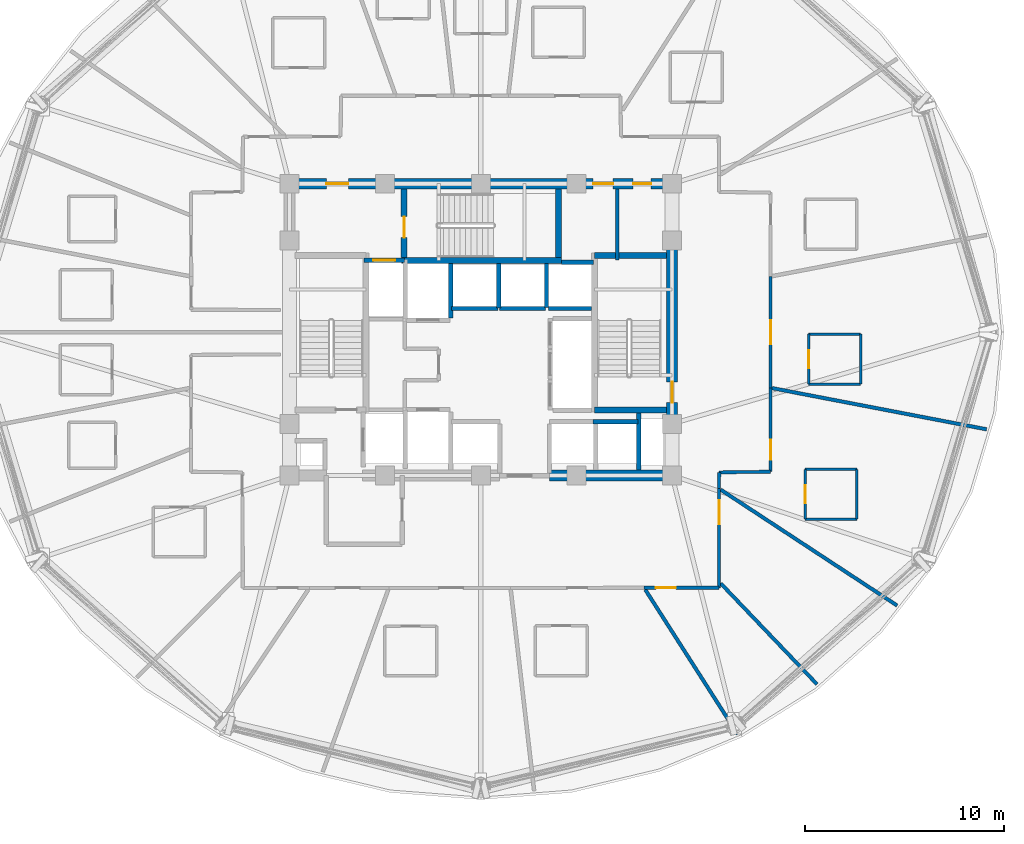
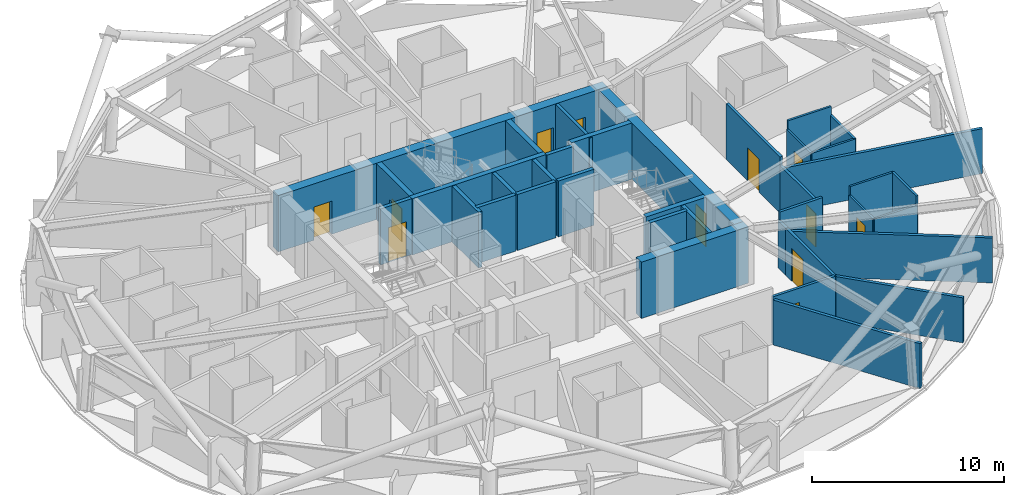
# One storey, part 8 of 14: 37 walls, 12 doors, 12 openings.
"""IFC4 building model written with IfcOpenShell, lengths in metres."""

import ifcopenshell
import ifcopenshell.guid

model = None  # the IFC model being written
_history = None  # IfcOwnerHistory: only IFC2X3 demands one
_inside = {}  # id of a spatial element -> (the spatial element, [elements in it])
_under = {}  # id of a project, library or spatial element -> (it, [spatial elements below it])
_declared = {}  # id of a project -> (the project, [libraries it declares])
_typed = {}  # id of a type object -> (the type object, [elements of that type])
_made_of = {}  # id of a material, layer set ... -> (it, [elements and type objects made of it])


def new_model(schema):
    """Start an empty IFC model of exactly this schema.

    Asked for "IFC4X3", IfcOpenShell would pick the latest addendum, in which some entities
    have other attributes; the version numbers below select the first issue.
    IFC2X3 requires an IfcOwnerHistory on every rooted entity: one is made here for all.
    """
    global model, _history
    if schema == "IFC4X3":
        model = ifcopenshell.file(schema_version=(4, 3, 0, 0))
    else:
        model = ifcopenshell.file(schema=schema)
    _inside.clear()
    _under.clear()
    _declared.clear()
    _typed.clear()
    _made_of.clear()
    _history = None
    if model.schema == "IFC2X3":
        org = make("IfcOrganization", Name="unknown")
        user = make(
            "IfcPersonAndOrganization",
            ThePerson=make("IfcPerson", FamilyName="unknown"),
            TheOrganization=org,
        )
        app = make(
            "IfcApplication",
            ApplicationDeveloper=org,
            Version="unknown",
            ApplicationFullName="unknown",
            ApplicationIdentifier="unknown",
        )
        _history = make(
            "IfcOwnerHistory",
            OwningUser=user,
            OwningApplication=app,
            ChangeAction="ADDED",
            CreationDate=0,
        )
    return model


def make(cls, **values):
    """One entity of the class cls with the attributes given. An attribute that is None is left unset."""
    return model.create_entity(
        cls, **{name: value for name, value in values.items() if value is not None}
    )


def rooted(cls, **values):
    """An entity with a GlobalId (a new one), such as an element, a storey or a relation."""
    return make(cls, GlobalId=ifcopenshell.guid.new(), OwnerHistory=_history, **values)


def si_unit(unit_type, name, prefix=None):
    """IfcSIUnit, for example si_unit("LENGTHUNIT", "METRE", prefix="MILLI")."""
    return make("IfcSIUnit", UnitType=unit_type, Prefix=prefix, Name=name)


def assignment(units):
    """IfcUnitAssignment: the units of a project."""
    return None if units is None else make("IfcUnitAssignment", Units=units)


def point(xyz):
    """IfcCartesianPoint."""
    return None if xyz is None else make("IfcCartesianPoint", Coordinates=xyz)


def direction(xyz):
    """IfcDirection."""
    return None if xyz is None else make("IfcDirection", DirectionRatios=xyz)


def frame(location, z_axis=None, x_axis=None):
    """IfcAxis2Placement3D, a coordinate frame: its origin and axes. An axis left out is left unset."""
    return make(
        "IfcAxis2Placement3D",
        Location=point(location),
        Axis=direction(z_axis),
        RefDirection=direction(x_axis),
    )


def frame_2d(location, x_axis=None):
    """IfcAxis2Placement2D, a coordinate frame in the plane: its origin and x axis."""
    return make(
        "IfcAxis2Placement2D", Location=point(location), RefDirection=direction(x_axis)
    )


def origin():
    """The frame at (0, 0, 0) with its axes left unset."""
    return frame((0.0, 0.0, 0.0))


def place(relative_to, where):
    """IfcLocalPlacement: puts the frame where relative to a parent placement (None: the world)."""
    return make(
        "IfcLocalPlacement", PlacementRelTo=relative_to, RelativePlacement=where
    )


def context(
    kind, dimensions, precision=None, world=None, true_north=None, identifier=None
):
    """IfcGeometricRepresentationContext, for example the 3D "Model" context."""
    return make(
        "IfcGeometricRepresentationContext",
        ContextIdentifier=identifier,
        ContextType=kind,
        CoordinateSpaceDimension=dimensions,
        Precision=precision,
        WorldCoordinateSystem=world,
        TrueNorth=true_north,
    )


def subcontext(parent, identifier, kind, view, scale=None):
    """IfcGeometricRepresentationSubContext, for example "Body" below "Model"."""
    return make(
        "IfcGeometricRepresentationSubContext",
        ContextIdentifier=identifier,
        ContextType=kind,
        ParentContext=parent,
        TargetScale=scale,
        TargetView=view,
    )


def project(units=None, contexts=None):
    """IfcProject with its units and contexts."""
    return rooted(
        "IfcProject",
        Name="project",
        RepresentationContexts=contexts,
        UnitsInContext=assignment(units),
    )


def spatial(cls, under=None, at=None, **own):
    """A site, building, storey or space (cls), placed at a placement, below another one or the project."""
    s = rooted(cls, ObjectPlacement=at, **own)
    if under is not None:
        _under.setdefault(under.id(), (under, []))[1].append(s)
    return s


def profile(cls, at=None, kind="AREA", **sizes):
    """A parametric profile (cls). Its sizes go by their IFC names, for example OverallWidth=200.0."""
    return make(cls, ProfileType=kind, Position=at, **sizes)


def rectangle(**sizes):
    """IfcRectangleProfileDef."""
    return profile("IfcRectangleProfileDef", **sizes)


def extrude(swept, where, along, depth):
    """IfcExtrudedAreaSolid: the profile swept, set in the frame where, extruded along a direction by depth."""
    return make(
        "IfcExtrudedAreaSolid",
        SweptArea=swept,
        Position=where,
        ExtrudedDirection=direction(along),
        Depth=depth,
    )


def shape(context_of_items, identifier, shape_type, items):
    """IfcShapeRepresentation: the items that make up one representation, for example the "Body"."""
    return make(
        "IfcShapeRepresentation",
        ContextOfItems=context_of_items,
        RepresentationIdentifier=identifier,
        RepresentationType=shape_type,
        Items=items,
    )


def material(Name=None, Category=None):
    """IfcMaterial."""
    return make("IfcMaterial", Name=Name, Category=Category)


def layer(
    of_material, thickness, ventilated=None, Name=None, Category=None, Priority=None
):
    """IfcMaterialLayer: one layer of a wall or slab, of a material (None: an air gap)."""
    return make(
        "IfcMaterialLayer",
        Material=of_material,
        LayerThickness=thickness,
        IsVentilated=ventilated,
        Name=Name,
        Category=Category,
        Priority=Priority,
    )


def layer_set(layers, Name=None):
    """IfcMaterialLayerSet."""
    return make("IfcMaterialLayerSet", MaterialLayers=layers, LayerSetName=Name)


def made_of(thing, what):
    """Note that an element or type object is made of a material, layer set ...; save() writes the relation."""
    if what is not None:
        _made_of.setdefault(what.id(), (what, []))[1].append(thing)
    return thing


def type_object(cls, material=None, **own):
    """A type object (cls), such as IfcWallType, which elements share."""
    return made_of(rooted(cls, **own), material)


def element(
    cls,
    number,
    at=None,
    inside=None,
    cuts=None,
    type_object=None,
    material=None,
    context=None,
    identifier="Body",
    shape_type=None,
    held_by="IfcProductDefinitionShape",
    body=None,
    shapes=None,
    **own,
):
    """One element of the class cls, such as IfcWall. Its Tag is "e" and its number.

    at: its placement. inside: the storey or other place that contains it. cuts: it is an
    opening in that element (IfcRelVoidsElement). A single representation is given by context,
    identifier, shape_type and body (its items); several are given by shapes. held_by: the class
    of the entity that holds the representations. save() writes the other relations.
    """
    e = rooted(cls, Tag="e%d" % number, ObjectPlacement=at, **own)
    if body is not None:
        shapes = [shape(context, identifier, shape_type, body)]
    if shapes is not None:
        e.Representation = make(held_by, Representations=shapes)
    if inside is not None:
        _inside.setdefault(inside.id(), (inside, []))[1].append(e)
    if cuts is not None:
        rooted(
            "IfcRelVoidsElement", RelatingBuildingElement=cuts, RelatedOpeningElement=e
        )
    if type_object is not None:
        _typed.setdefault(type_object.id(), (type_object, []))[1].append(e)
    return made_of(e, material)


def fill(opening, filler):
    """IfcRelFillsElement: the door or window that sits in an opening."""
    return rooted(
        "IfcRelFillsElement",
        RelatingOpeningElement=opening,
        RelatedBuildingElement=filler,
    )


def aggregate(whole, parts):
    """IfcRelAggregates: a whole, such as a stair, and the parts it consists of."""
    return rooted("IfcRelAggregates", RelatingObject=whole, RelatedObjects=parts)


def save(model, path):
    """Write the relations noted so far, then the file.

    IfcRelAggregates (storeys below a building ...), IfcRelContainedInSpatialStructure (elements
    in a storey), IfcRelDefinesByType, IfcRelAssociatesMaterial and IfcRelDeclares: one each for
    every whole, place, type object, material and project.
    """
    for whole, parts in _under.values():
        aggregate(whole, parts)
    for where, things in _inside.values():
        rooted(
            "IfcRelContainedInSpatialStructure",
            RelatedElements=things,
            RelatingStructure=where,
        )
    for kind, things in _typed.values():
        rooted("IfcRelDefinesByType", RelatedObjects=things, RelatingType=kind)
    for what, things in _made_of.values():
        rooted("IfcRelAssociatesMaterial", RelatedObjects=things, RelatingMaterial=what)
    for by, libraries in _declared.values():
        rooted("IfcRelDeclares", RelatingContext=by, RelatedDefinitions=libraries)
    model.write(path)


model = new_model("IFC4")

# Units and contexts
model_context = context("Model", 3, precision=1e-05, world=origin(), true_north=direction((0.0, 1.0)))
body_context = subcontext(model_context, "Body", "Model", "MODEL_VIEW")
ifc_project = project(units=[si_unit("LENGTHUNIT", "METRE"), si_unit("AREAUNIT", "SQUARE_METRE"), si_unit("VOLUMEUNIT", "CUBIC_METRE"), si_unit("PLANEANGLEUNIT", "RADIAN"), si_unit("MASSUNIT", "GRAM", prefix="KILO")], contexts=[model_context])

# Site, building, storey
site_placement = place(None, origin())
site = spatial("IfcSite", under=ifc_project, at=site_placement, CompositionType="ELEMENT")
building_placement = place(site_placement, origin())
building = spatial("IfcBuilding", under=site, at=building_placement, Name="Vantalir Tower", CompositionType="ELEMENT")
storey_placement = place(building_placement, frame((0.0, 0.0, 112.199951171875)))
storey = spatial("IfcBuildingStorey", under=building, at=storey_placement, Name="L27", CompositionType="ELEMENT", Elevation=112.199951171875)

# Walls
ifc_material_1 = material(Name="Moisture-resistant en-suite partition", Category="gypsum")
ifc_layer_1 = layer(ifc_material_1, 0.125)
ifc_layer_set_1 = layer_set([ifc_layer_1], Name="Moisture-resistant en-suite partition")
wall_type_1 = type_object("IfcWallType", Name="WL-BATH-125", PredefinedType="PARTITIONING", material=ifc_layer_set_1)
wall_1_placement = place(storey_placement, frame((47.781982421875, 15.613037109375, 0.0), z_axis=(0.0, 0.0, 1.0), x_axis=(1.0, 0.0, 0.0)))
element("IfcWall", 1, at=wall_1_placement, inside=storey, type_object=wall_type_1, Name="L27 En-suite 20 South Wall", PredefinedType="PARTITIONING", context=body_context, shape_type="SweptSolid", body=[
    extrude(rectangle(XDim=2.60009765625, YDim=0.125, at=frame_2d((1.300048828125, 0.0))), origin(), (0.0, 0.0, 1.0), 3.006103515625),
])
wall_2_placement = place(storey_placement, frame((47.781982421875, 18.113037109375, 0.0), z_axis=(0.0, 0.0, 1.0), x_axis=(1.0, 0.0, 0.0)))
element("IfcWall", 2, at=wall_2_placement, inside=storey, type_object=wall_type_1, Name="L27 En-suite 20 North Wall", PredefinedType="PARTITIONING", context=body_context, shape_type="SweptSolid", body=[
    extrude(rectangle(XDim=2.60009765625, YDim=0.125, at=frame_2d((1.300048828125, 0.0))), origin(), (0.0, 0.0, 1.0), 3.550048828125),
])

# Wall, opening, door
wall_3_placement = place(storey_placement, frame((47.781982421875, 15.613037109375, 0.0), z_axis=(0.0, 0.0, 1.0), x_axis=(0.0, 1.0, 0.0)))
wall_3 = element("IfcWall", 3, at=wall_3_placement, inside=storey, type_object=wall_type_1, Name="L27 En-suite 20 West Wall", PredefinedType="PARTITIONING", context=body_context, shape_type="SweptSolid", body=[
    extrude(rectangle(XDim=2.5, YDim=0.125, at=frame_2d((1.25, 0.0))), origin(), (0.0, 0.0, 1.0), 3.006103515625),
])
opening_1_placement = place(wall_3_placement, frame((0.800048828125, 0.0, 0.0)))
opening_1 = element("IfcOpeningElement", 4, at=opening_1_placement, cuts=wall_3, Name="Opening D-WC", PredefinedType="OPENING", context=body_context, shape_type="SweptSolid", body=[
    extrude(rectangle(XDim=0.89990234375, YDim=2.10009765625, at=frame_2d((0.449951171875, 1.050048828125))), frame((0.0, 0.072509765625, 0.0), z_axis=(0.0, -1.0, 0.0), x_axis=(1.0, 0.0, 0.0)), (0.0, 0.0, 1.0), 0.14501953125),
])
ifc_material_2 = material(Name="Moisture-resistant hardwood door", Category="wood")
door_type_1 = type_object("IfcDoorType", Name="DR-ENSUITE-900", OperationType="NOTDEFINED", PredefinedType="DOOR", material=ifc_material_2)
door_1_placement = place(opening_1_placement, frame((0.89990234375, 0.0, 0.0), z_axis=(0.0, 0.0, 1.0), x_axis=(-1.0, 0.0, 0.0)))
door_1 = element("IfcDoor", 5, at=door_1_placement, inside=storey, type_object=door_type_1, Name="L27 En-suite 20 Door", OperationType="SINGLE_SWING_RIGHT", OverallHeight=2.10009765625, OverallWidth=0.89990234375, PredefinedType="DOOR", context=body_context, shape_type="SweptSolid", body=[
    extrude(rectangle(XDim=0.89990234375, YDim=2.10009765625, at=frame_2d((0.449951171875, 1.050048828125))), frame((0.0, 0.02490234375, 0.0), z_axis=(0.0, -1.0, 0.0), x_axis=(1.0, 0.0, 0.0)), (0.0, 0.0, 1.0), 0.050048828125),
])
fill(opening_1, door_1)

# Walls
wall_4_placement = place(storey_placement, frame((50.382080078125, 15.613037109375, 0.0), z_axis=(0.0, 0.0, 1.0), x_axis=(0.0, 1.0, 0.0)))
element("IfcWall", 6, at=wall_4_placement, inside=storey, type_object=wall_type_1, Name="L27 En-suite 20 East Wall", PredefinedType="PARTITIONING", context=body_context, shape_type="SweptSolid", body=[
    extrude(rectangle(XDim=2.5, YDim=0.125, at=frame_2d((1.25, 0.0))), origin(), (0.0, 0.0, 1.0), 3.550048828125),
])
wall_5_placement = place(storey_placement, frame((47.9599609375, 22.39599609375, 0.0), z_axis=(0.0, 0.0, 1.0), x_axis=(1.0, 0.0, 0.0)))
element("IfcWall", 7, at=wall_5_placement, inside=storey, type_object=wall_type_1, Name="L27 En-suite 21 South Wall", PredefinedType="PARTITIONING", context=body_context, shape_type="SweptSolid", body=[
    extrude(rectangle(XDim=2.60009765625, YDim=0.125, at=frame_2d((1.300048828125, 0.0))), origin(), (0.0, 0.0, 1.0), 3.006103515625),
])
wall_6_placement = place(storey_placement, frame((47.9599609375, 24.89599609375, 0.0), z_axis=(0.0, 0.0, 1.0), x_axis=(1.0, 0.0, 0.0)))
element("IfcWall", 8, at=wall_6_placement, inside=storey, type_object=wall_type_1, Name="L27 En-suite 21 North Wall", PredefinedType="PARTITIONING", context=body_context, shape_type="SweptSolid", body=[
    extrude(rectangle(XDim=2.60009765625, YDim=0.125, at=frame_2d((1.300048828125, 0.0))), origin(), (0.0, 0.0, 1.0), 3.550048828125),
])

# Wall, opening, door
wall_7_placement = place(storey_placement, frame((47.9599609375, 22.39599609375, 0.0), z_axis=(0.0, 0.0, 1.0), x_axis=(0.0, 1.0, 0.0)))
wall_7 = element("IfcWall", 9, at=wall_7_placement, inside=storey, type_object=wall_type_1, Name="L27 En-suite 21 West Wall", PredefinedType="PARTITIONING", context=body_context, shape_type="SweptSolid", body=[
    extrude(rectangle(XDim=2.5, YDim=0.125, at=frame_2d((1.25, 0.0))), origin(), (0.0, 0.0, 1.0), 3.006103515625),
])
opening_2_placement = place(wall_7_placement, frame((0.800048828125, 0.0, 0.0)))
opening_2 = element("IfcOpeningElement", 10, at=opening_2_placement, cuts=wall_7, Name="Opening D-WC", PredefinedType="OPENING", context=body_context, shape_type="SweptSolid", body=[
    extrude(rectangle(XDim=0.89990234375, YDim=2.10009765625, at=frame_2d((0.449951171875, 1.050048828125))), frame((0.0, 0.072509765625, 0.0), z_axis=(0.0, -1.0, 0.0), x_axis=(1.0, 0.0, 0.0)), (0.0, 0.0, 1.0), 0.14501953125),
])
door_2_placement = place(opening_2_placement, frame((0.89990234375, 0.0, 0.0), z_axis=(0.0, 0.0, 1.0), x_axis=(-1.0, 0.0, 0.0)))
door_2 = element("IfcDoor", 11, at=door_2_placement, inside=storey, type_object=door_type_1, Name="L27 En-suite 21 Door", OperationType="SINGLE_SWING_LEFT", OverallHeight=2.10009765625, OverallWidth=0.89990234375, PredefinedType="DOOR", context=body_context, shape_type="SweptSolid", body=[
    extrude(rectangle(XDim=0.89990234375, YDim=2.10009765625, at=frame_2d((0.449951171875, 1.050048828125))), frame((0.0, 0.02490234375, 0.0), z_axis=(0.0, -1.0, 0.0), x_axis=(1.0, 0.0, 0.0)), (0.0, 0.0, 1.0), 0.050048828125),
])
fill(opening_2, door_2)

# Walls
wall_8_placement = place(storey_placement, frame((50.56005859375, 22.39599609375, 0.0), z_axis=(0.0, 0.0, 1.0), x_axis=(0.0, 1.0, 0.0)))
element("IfcWall", 12, at=wall_8_placement, inside=storey, type_object=wall_type_1, Name="L27 En-suite 21 East Wall", PredefinedType="PARTITIONING", context=body_context, shape_type="SweptSolid", body=[
    extrude(rectangle(XDim=2.5, YDim=0.125, at=frame_2d((1.25, 0.0))), origin(), (0.0, 0.0, 1.0), 3.006103515625),
])
ifc_material_3 = material(Name="Concrete C60/75", Category="concrete")
ifc_layer_2 = layer(ifc_material_3, 0.550048828125)
ifc_layer_set_2 = layer_set([ifc_layer_2], Name="Concrete C60/75")
wall_type_2 = type_object("IfcWallType", Name="WL-CORE-550", PredefinedType="SHEAR", material=ifc_layer_set_2)
wall_9_placement = place(storey_placement, frame((34.949951171875, 17.800048828125, 0.0), z_axis=(0.0, 0.0, 1.0), x_axis=(1.0, 0.0, 0.0)))
element("IfcWall", 13, at=wall_9_placement, inside=storey, type_object=wall_type_2, Name="L27 Core Shear Wall South-East", PredefinedType="SHEAR", context=body_context, shape_type="SweptSolid", body=[
    extrude(rectangle(XDim=6.425048828125, YDim=0.550048828125, at=frame_2d((3.21240234375, 0.0))), origin(), (0.0, 0.0, 1.0), 3.570068359375),
])

# Wall, openings, doors
wall_10_placement = place(storey_placement, frame((21.625, 32.449951171875, 0.0), z_axis=(0.0, 0.0, 1.0), x_axis=(1.0, 0.0, 0.0)))
wall_10 = element("IfcWall", 14, at=wall_10_placement, inside=storey, type_object=wall_type_2, Name="L27 Core Shear Wall North", PredefinedType="SHEAR", context=body_context, shape_type="SweptSolid", body=[
    extrude(rectangle(XDim=19.75, YDim=0.550048828125, at=frame_2d((9.875, 0.0))), origin(), (0.0, 0.0, 1.0), 3.570068359375),
])
opening_3_placement = place(wall_10_placement, frame((2.125, 0.0, 0.0)))
opening_3 = element("IfcOpeningElement", 15, at=opening_3_placement, cuts=wall_10, Name="Opening D-FFL", PredefinedType="OPENING", context=body_context, shape_type="SweptSolid", body=[
    extrude(rectangle(XDim=1.10009765625, YDim=2.10009765625, at=frame_2d((0.550048828125, 1.050048828125))), frame((0.0, 0.284912109375, 0.0), z_axis=(0.0, -1.0, 0.0), x_axis=(1.0, 0.0, 0.0)), (0.0, 0.0, 1.0), 0.570068359375),
])
opening_4_placement = place(wall_10_placement, frame((15.514892578125, 0.0, 0.0)))
opening_4 = element("IfcOpeningElement", 16, at=opening_4_placement, cuts=wall_10, Name="Opening D-GUEST", PredefinedType="OPENING", context=body_context, shape_type="SweptSolid", body=[
    extrude(rectangle(XDim=1.0, YDim=2.10009765625, at=frame_2d((0.5, 1.050048828125))), frame((0.0, 0.284912109375, 0.0), z_axis=(0.0, -1.0, 0.0), x_axis=(1.0, 0.0, 0.0)), (0.0, 0.0, 1.0), 0.570068359375),
])
opening_5_placement = place(wall_10_placement, frame((17.52490234375, 0.0, 0.0)))
opening_5 = element("IfcOpeningElement", 17, at=opening_5_placement, cuts=wall_10, Name="Opening D-CR", PredefinedType="OPENING", context=body_context, shape_type="SweptSolid", body=[
    extrude(rectangle(XDim=0.89990234375, YDim=2.10009765625, at=frame_2d((0.449951171875, 1.050048828125))), frame((0.0, 0.284912109375, 0.0), z_axis=(0.0, -1.0, 0.0), x_axis=(1.0, 0.0, 0.0)), (0.0, 0.0, 1.0), 0.570068359375),
])
ifc_material_4 = material(Name="Fire-rated steel core service door", Category="steel")
door_type_2 = type_object("IfcDoorType", Name="DR-CORE-SERV-900", OperationType="NOTDEFINED", PredefinedType="DOOR", material=ifc_material_4)
door_3_placement = place(opening_5_placement, frame((0.89990234375, 0.0, 0.0), z_axis=(0.0, 0.0, 1.0), x_axis=(-1.0, 0.0, 0.0)))
door_3 = element("IfcDoor", 18, at=door_3_placement, inside=storey, type_object=door_type_2, Name="L27 Housekeeping and Linen Room Door", OperationType="SINGLE_SWING_RIGHT", OverallHeight=2.10009765625, OverallWidth=0.89990234375, PredefinedType="DOOR", context=body_context, shape_type="SweptSolid", body=[
    extrude(rectangle(XDim=0.89990234375, YDim=2.10009765625, at=frame_2d((0.449951171875, 1.050048828125))), frame((0.0, 0.02490234375, 0.0), z_axis=(0.0, -1.0, 0.0), x_axis=(1.0, 0.0, 0.0)), (0.0, 0.0, 1.0), 0.050048828125),
])
fill(opening_5, door_3)
ifc_material_5 = material(Name="Fire-rated acoustic steel door", Category="steel")
door_type_3 = type_object("IfcDoorType", Name="DR-FIRE-LOBBY-1100", OperationType="NOTDEFINED", PredefinedType="DOOR", material=ifc_material_5)
door_4_placement = place(opening_3_placement, frame((1.10009765625, 0.0, 0.0), z_axis=(0.0, 0.0, 1.0), x_axis=(-1.0, 0.0, 0.0)))
door_4 = element("IfcDoor", 19, at=door_4_placement, inside=storey, type_object=door_type_3, Name="L27 Firefighting Lobby East Access Door", OperationType="SINGLE_SWING_LEFT", OverallHeight=2.10009765625, OverallWidth=1.10009765625, PredefinedType="DOOR", context=body_context, shape_type="SweptSolid", body=[
    extrude(rectangle(XDim=1.10009765625, YDim=2.10009765625, at=frame_2d((0.550048828125, 1.050048828125))), frame((0.0, 0.02490234375, 0.0), z_axis=(0.0, -1.0, 0.0), x_axis=(1.0, 0.0, 0.0)), (0.0, 0.0, 1.0), 0.050048828125),
])
fill(opening_3, door_4)
ifc_material_6 = material(Name="Solid-core teak veneer acoustic fire door", Category="wood")
door_type_4 = type_object("IfcDoorType", Name="DR-GUEST-ENTRY-1000", OperationType="NOTDEFINED", PredefinedType="DOOR", material=ifc_material_6)
door_5_placement = place(opening_4_placement, frame((1.0, 0.0, 0.0), z_axis=(0.0, 0.0, 1.0), x_axis=(-1.0, 0.0, 0.0)))
door_5 = element("IfcDoor", 20, at=door_5_placement, inside=storey, type_object=door_type_4, Name="L27 High-Rise Lift Lobby Door", OperationType="SINGLE_SWING_LEFT", OverallHeight=2.10009765625, OverallWidth=1.0, PredefinedType="DOOR", context=body_context, shape_type="SweptSolid", body=[
    extrude(rectangle(XDim=1.0, YDim=2.10009765625, at=frame_2d((0.5, 1.050048828125))), frame((0.0, 0.02490234375, 0.0), z_axis=(0.0, -1.0, 0.0), x_axis=(1.0, 0.0, 0.0)), (0.0, 0.0, 1.0), 0.050048828125),
])
fill(opening_4, door_5)

# Wall, opening, door
wall_11_placement = place(storey_placement, frame((41.10009765625, 18.074951171875, 0.0), z_axis=(0.0, 0.0, 1.0), x_axis=(0.0, 1.0, 0.0)))
wall_11 = element("IfcWall", 21, at=wall_11_placement, inside=storey, type_object=wall_type_2, Name="L27 Core Shear Wall East", PredefinedType="SHEAR", context=body_context, shape_type="SweptSolid", body=[
    extrude(rectangle(XDim=14.10009765625, YDim=0.550048828125, at=frame_2d((7.050048828125, 0.0))), origin(), (0.0, 0.0, 1.0), 3.570068359375),
])
opening_6_placement = place(wall_11_placement, frame((3.385009765625, 0.0, 0.0)))
opening_6 = element("IfcOpeningElement", 22, at=opening_6_placement, cuts=wall_11, Name="Opening D-ST", PredefinedType="OPENING", context=body_context, shape_type="SweptSolid", body=[
    extrude(rectangle(XDim=1.050048828125, YDim=2.10009765625, at=frame_2d((0.52490234375, 1.050048828125))), frame((0.0, 0.284912109375, 0.0), z_axis=(0.0, -1.0, 0.0), x_axis=(1.0, 0.0, 0.0)), (0.0, 0.0, 1.0), 0.570068359375),
])
ifc_material_7 = material(Name="Fire-rated steel door leaf", Category="steel")
door_type_5 = type_object("IfcDoorType", Name="DR-FIRE-STAIR-1050", OperationType="NOTDEFINED", PredefinedType="DOOR", material=ifc_material_7)
door_6_placement = place(opening_6_placement, origin())
door_6 = element("IfcDoor", 23, at=door_6_placement, inside=storey, type_object=door_type_5, Name="L27 Exit Stair ST2 Fire Door", OperationType="SINGLE_SWING_LEFT", OverallHeight=2.10009765625, OverallWidth=1.050048828125, PredefinedType="DOOR", context=body_context, shape_type="SweptSolid", body=[
    extrude(rectangle(XDim=1.050048828125, YDim=2.10009765625, at=frame_2d((0.52490234375, 1.050048828125))), frame((0.0, 0.02490234375, 0.0), z_axis=(0.0, -1.0, 0.0), x_axis=(1.0, 0.0, 0.0)), (0.0, 0.0, 1.0), 0.050048828125),
])
fill(opening_6, door_6)

ifc_material_8 = material(Name="Fire-rated hotel corridor acoustic partition", Category="gypsum")
ifc_layer_3 = layer(ifc_material_8, 0.159912109375)
ifc_layer_set_3 = layer_set([ifc_layer_3], Name="Fire-rated hotel corridor acoustic partition")
wall_type_3 = type_object("IfcWallType", Name="WL-CORR-160", PredefinedType="PARTITIONING", material=ifc_layer_set_3)
wall_12_placement = place(storey_placement, frame((46.044921875, 27.794921875, 0.0), z_axis=(0.0, 0.0, 1.0), x_axis=(0.0, -1.0, 0.0)))
wall_12 = element("IfcWall", 24, at=wall_12_placement, inside=storey, type_object=wall_type_3, Name="L27 Corridor Partition 22", PredefinedType="PARTITIONING", context=body_context, shape_type="SweptSolid", body=[
    extrude(rectangle(XDim=5.58984375, YDim=0.159912109375, at=frame_2d((2.794921875, 0.0))), origin(), (0.0, 0.0, 1.0), 3.550048828125),
])
opening_7_placement = place(wall_12_placement, frame((2.195068359375, 0.0, 0.0)))
opening_7 = element("IfcOpeningElement", 25, at=opening_7_placement, cuts=wall_12, Name="Opening D-STE", PredefinedType="OPENING", context=body_context, shape_type="SweptSolid", body=[
    extrude(rectangle(XDim=1.199951171875, YDim=2.10009765625, at=frame_2d((0.60009765625, 1.050048828125))), frame((0.0, 0.08984375, 0.0), z_axis=(0.0, -1.0, 0.0), x_axis=(1.0, 0.0, 0.0)), (0.0, 0.0, 1.0), 0.179931640625),
])
ifc_material_9 = material(Name="Solid-core teak veneer suite entrance door", Category="wood")
door_type_6 = type_object("IfcDoorType", Name="DR-SUITE-ENTRY-1200", OperationType="NOTDEFINED", PredefinedType="DOOR", material=ifc_material_9)
door_7_placement = place(opening_7_placement, origin())
door_7 = element("IfcDoor", 26, at=door_7_placement, inside=storey, type_object=door_type_6, Name="L27 Corner Panorama Hotel Suite 21 Door", OperationType="SINGLE_SWING_LEFT", OverallHeight=2.10009765625, OverallWidth=1.199951171875, PredefinedType="DOOR", context=body_context, shape_type="SweptSolid", body=[
    extrude(rectangle(XDim=1.199951171875, YDim=2.10009765625, at=frame_2d((0.60009765625, 1.050048828125))), frame((0.0, 0.02490234375, 0.0), z_axis=(0.0, -1.0, 0.0), x_axis=(1.0, 0.0, 0.0)), (0.0, 0.0, 1.0), 0.050048828125),
])
fill(opening_7, door_7)

wall_13_placement = place(storey_placement, frame((46.044921875, 22.205078125, 0.0), z_axis=(0.0, 0.0, 1.0), x_axis=(0.0, -1.0, 0.0)))
wall_13 = element("IfcWall", 27, at=wall_13_placement, inside=storey, type_object=wall_type_3, Name="L27 Corridor Partition 23", PredefinedType="PARTITIONING", context=body_context, shape_type="SweptSolid", body=[
    extrude(rectangle(XDim=4.208984375, YDim=0.159912109375, at=frame_2d((2.1044921875, 0.0))), origin(), (0.0, 0.0, 1.0), 3.006103515625),
])
opening_8_placement = place(wall_13_placement, frame((2.615966796875, 0.0, 0.0)))
opening_8 = element("IfcOpeningElement", 28, at=opening_8_placement, cuts=wall_13, Name="Opening D-GUEST", PredefinedType="OPENING", context=body_context, shape_type="SweptSolid", body=[
    extrude(rectangle(XDim=1.0, YDim=2.10009765625, at=frame_2d((0.5, 1.050048828125))), frame((0.0, 0.08984375, 0.0), z_axis=(0.0, -1.0, 0.0), x_axis=(1.0, 0.0, 0.0)), (0.0, 0.0, 1.0), 0.179931640625),
])
door_8_placement = place(opening_8_placement, origin())
door_8 = element("IfcDoor", 29, at=door_8_placement, inside=storey, type_object=door_type_4, Name="L27 Deluxe King Hotel Room 20 Door", OperationType="SINGLE_SWING_RIGHT", OverallHeight=2.10009765625, OverallWidth=1.0, PredefinedType="DOOR", context=body_context, shape_type="SweptSolid", body=[
    extrude(rectangle(XDim=1.0, YDim=2.10009765625, at=frame_2d((0.5, 1.050048828125))), frame((0.0, 0.02490234375, 0.0), z_axis=(0.0, -1.0, 0.0), x_axis=(1.0, 0.0, 0.0)), (0.0, 0.0, 1.0), 0.050048828125),
])
fill(opening_8, door_8)

# Walls
wall_14_placement = place(storey_placement, frame((46.044921875, 17.99609375, 0.0), z_axis=(0.0, 0.0, 1.0), x_axis=(-0.999901932268, -0.014004493799, 0.0)))
element("IfcWall", 30, at=wall_14_placement, inside=storey, type_object=wall_type_3, Name="L27 Corridor Partition 24", PredefinedType="PARTITIONING", context=body_context, shape_type="SweptSolid", body=[
    extrude(rectangle(XDim=2.580078125, YDim=0.159912109375, at=frame_2d((1.2900390625, 0.0))), origin(), (0.0, 0.0, 1.0), 3.550048828125),
])
wall_15_placement = place(storey_placement, frame((43.465087890625, 17.9599609375, 0.0), z_axis=(0.0, 0.0, 1.0), x_axis=(-0.001195456408, -0.999999285442, 0.0)))
element("IfcWall", 31, at=wall_15_placement, inside=storey, type_object=wall_type_3, Name="L27 Corridor Partition 25", PredefinedType="PARTITIONING", context=body_context, shape_type="SweptSolid", body=[
    extrude(rectangle(XDim=0.81689453125, YDim=0.159912109375, at=frame_2d((0.408447265625, 0.0))), origin(), (0.0, 0.0, 1.0), 3.006103515625),
])

# Wall, opening, door
wall_16_placement = place(storey_placement, frame((43.464111328125, 17.14306640625, 0.0), z_axis=(0.0, 0.0, 1.0), x_axis=(-0.001226812307, -0.999999247465, 0.0)))
wall_16 = element("IfcWall", 32, at=wall_16_placement, inside=storey, type_object=wall_type_3, Name="L27 Corridor Partition 26", PredefinedType="PARTITIONING", context=body_context, shape_type="SweptSolid", body=[
    extrude(rectangle(XDim=4.97509765625, YDim=0.159912109375, at=frame_2d((2.487548828125, 0.0))), origin(), (0.0, 0.0, 1.0), 3.006103515625),
])
opening_9_placement = place(wall_16_placement, frame((0.592041015625, 0.0, 0.0)))
opening_9 = element("IfcOpeningElement", 33, at=opening_9_placement, cuts=wall_16, Name="Opening D-STE", PredefinedType="OPENING", context=body_context, shape_type="SweptSolid", body=[
    extrude(rectangle(XDim=1.199951171875, YDim=2.10009765625, at=frame_2d((0.60009765625, 1.050048828125))), frame((0.0, 0.08984375, 0.0), z_axis=(0.0, -1.0, 0.0), x_axis=(1.0, 0.0, 0.0)), (0.0, 0.0, 1.0), 0.179931640625),
])
door_9_placement = place(opening_9_placement, origin())
door_9 = element("IfcDoor", 34, at=door_9_placement, inside=storey, type_object=door_type_6, Name="L27 Club Reading Lounge 19 Door", OperationType="SINGLE_SWING_LEFT", OverallHeight=2.10009765625, OverallWidth=1.199951171875, PredefinedType="DOOR", context=body_context, shape_type="SweptSolid", body=[
    extrude(rectangle(XDim=1.199951171875, YDim=2.10009765625, at=frame_2d((0.60009765625, 1.050048828125))), frame((0.0, 0.02490234375, 0.0), z_axis=(0.0, -1.0, 0.0), x_axis=(1.0, 0.0, 0.0)), (0.0, 0.0, 1.0), 0.050048828125),
])
fill(opening_9, door_9)

wall_17_placement = place(storey_placement, frame((43.4580078125, 12.16796875, 0.0), z_axis=(0.0, 0.0, 1.0), x_axis=(-0.999999865088, -0.000519446719, 0.0)))
wall_17 = element("IfcWall", 35, at=wall_17_placement, inside=storey, type_object=wall_type_3, Name="L27 Corridor Partition 27", PredefinedType="PARTITIONING", context=body_context, shape_type="SweptSolid", body=[
    extrude(rectangle(XDim=3.760009765625, YDim=0.159912109375, at=frame_2d((1.8798828125, 0.0))), origin(), (0.0, 0.0, 1.0), 3.006103515625),
])
opening_10_placement = place(wall_17_placement, frame((2.1689453125, 0.0, 0.0)))
opening_10 = element("IfcOpeningElement", 36, at=opening_10_placement, cuts=wall_17, Name="Opening D-GUEST", PredefinedType="OPENING", context=body_context, shape_type="SweptSolid", body=[
    extrude(rectangle(XDim=1.0, YDim=2.10009765625, at=frame_2d((0.5, 1.050048828125))), frame((0.0, 0.08984375, 0.0), z_axis=(0.0, -1.0, 0.0), x_axis=(1.0, 0.0, 0.0)), (0.0, 0.0, 1.0), 0.179931640625),
])
door_10_placement = place(opening_10_placement, origin())
door_10 = element("IfcDoor", 37, at=door_10_placement, inside=storey, type_object=door_type_4, Name="L27 Executive Business Study 18 Door", OperationType="SINGLE_SWING_RIGHT", OverallHeight=2.10009765625, OverallWidth=1.0, PredefinedType="DOOR", context=body_context, shape_type="SweptSolid", body=[
    extrude(rectangle(XDim=1.0, YDim=2.10009765625, at=frame_2d((0.5, 1.050048828125))), frame((0.0, 0.02490234375, 0.0), z_axis=(0.0, -1.0, 0.0), x_axis=(1.0, 0.0, 0.0)), (0.0, 0.0, 1.0), 0.050048828125),
])
fill(opening_10, door_10)

# Walls
ifc_material_10 = material(Name="Concrete blockwork with fireboard lining", Category="masonry")
ifc_layer_4 = layer(ifc_material_10, 0.219970703125)
ifc_layer_set_4 = layer_set([ifc_layer_4], Name="Concrete blockwork with fireboard lining")
wall_type_4 = type_object("IfcWallType", Name="WL-FFL-220", PredefinedType="PARTITIONING", material=ifc_layer_set_4)
wall_18_placement = place(storey_placement, frame((30.0, 25.7099609375, 0.0), z_axis=(0.0, 0.0, 1.0), x_axis=(0.0, 1.0, 0.0)))
element("IfcWall", 38, at=wall_18_placement, inside=storey, type_object=wall_type_4, Name="L27 Service Lift SV2 East Shaft Wall", PredefinedType="PARTITIONING", context=body_context, shape_type="SweptSolid", body=[
    extrude(rectangle(XDim=2.72998046875, YDim=0.219970703125, at=frame_2d((1.364990234375, 0.0))), origin(), (0.0, 0.0, 1.0), 3.545166015625),
])
wall_19_placement = place(storey_placement, frame((32.39990234375, 26.199951171875, 0.0), z_axis=(0.0, 0.0, 1.0), x_axis=(0.0, 1.0, 0.0)))
element("IfcWall", 39, at=wall_19_placement, inside=storey, type_object=wall_type_4, Name="L27 High-Rise Lift PL-H1/H2 Shaft Divider", PredefinedType="PARTITIONING", context=body_context, shape_type="SweptSolid", body=[
    extrude(rectangle(XDim=2.239990234375, YDim=0.219970703125, at=frame_2d((1.1201171875, 0.0))), origin(), (0.0, 0.0, 1.0), 3.545166015625),
])
wall_20_placement = place(storey_placement, frame((34.800048828125, 26.22998046875, 0.0), z_axis=(0.0, 0.0, 1.0), x_axis=(0.0, 1.0, 0.0)))
element("IfcWall", 40, at=wall_20_placement, inside=storey, type_object=wall_type_4, Name="L27 High-Rise Lift PL-H2/H3 Shaft Divider", PredefinedType="PARTITIONING", context=body_context, shape_type="SweptSolid", body=[
    extrude(rectangle(XDim=2.2099609375, YDim=0.219970703125, at=frame_2d((1.10498046875, 0.0))), origin(), (0.0, 0.0, 1.0), 3.545166015625),
])
wall_21_placement = place(storey_placement, frame((34.909912109375, 26.18994140625, 0.0), z_axis=(0.0, 0.0, 1.0), x_axis=(1.0, 0.0, 0.0)))
element("IfcWall", 41, at=wall_21_placement, inside=storey, type_object=wall_type_4, Name="L27 High-Rise Lift PL-H3 Rear Shaft Wall", PredefinedType="PARTITIONING", context=body_context, shape_type="SweptSolid", body=[
    extrude(rectangle(XDim=2.14013671875, YDim=0.219970703125, at=frame_2d((1.070068359375, 0.0))), origin(), (0.0, 0.0, 1.0), 3.545166015625),
])
wall_22_placement = place(storey_placement, frame((39.419921875, 18.074951171875, 0.0), z_axis=(0.0, 0.0, 1.0), x_axis=(0.0, 1.0, 0.0)))
element("IfcWall", 42, at=wall_22_placement, inside=storey, type_object=wall_type_4, Name="L27 East MEP Riser Wall W", PredefinedType="PARTITIONING", context=body_context, shape_type="SweptSolid", body=[
    extrude(rectangle(XDim=2.875, YDim=0.219970703125, at=frame_2d((1.4375, 0.0))), origin(), (0.0, 0.0, 1.0), 3.550048828125),
])

# Wall, opening, door
wall_23_placement = place(storey_placement, frame((25.639892578125, 28.610107421875, 0.0), z_axis=(0.0, 0.0, 1.0), x_axis=(1.0, 0.0, 0.0)))
wall_23 = element("IfcWall", 43, at=wall_23_placement, inside=storey, type_object=wall_type_4, Name="L27 Lift FL2 Shaft Front Wall", PredefinedType="PARTITIONING", context=body_context, shape_type="SweptSolid", body=[
    extrude(rectangle(XDim=2.02001953125, YDim=0.219970703125, at=frame_2d((1.010009765625, 0.0))), origin(), (0.0, 0.0, 1.0), 3.550048828125),
])
opening_11_placement = place(wall_23_placement, frame((0.4599609375, 0.0, 0.0)))
opening_11 = element("IfcOpeningElement", 44, at=opening_11_placement, cuts=wall_23, Name="Opening LD-FL2", PredefinedType="OPENING", context=body_context, shape_type="SweptSolid", body=[
    extrude(rectangle(XDim=1.10009765625, YDim=2.199951171875, at=frame_2d((0.550048828125, 1.10009765625))), frame((0.0, 0.119873046875, 0.0), z_axis=(0.0, -1.0, 0.0), x_axis=(1.0, 0.0, 0.0)), (0.0, 0.0, 1.0), 0.239990234375),
])
ifc_material_11 = material(Name="Brushed stainless-steel sliding lift landing door", Category="steel")
door_type_7 = type_object("IfcDoorType", Name="DR-LIFT-LANDING-1100", OperationType="DOUBLE_DOOR_SLIDING", PredefinedType="DOOR", material=ifc_material_11)
door_11_placement = place(opening_11_placement, origin())
door_11 = element("IfcDoor", 45, at=door_11_placement, inside=storey, type_object=door_type_7, Name="L27 Lift Landing Door FL2", OperationType="DOUBLE_DOOR_SLIDING", OverallHeight=2.199951171875, OverallWidth=1.10009765625, PredefinedType="DOOR", context=body_context, shape_type="SweptSolid", body=[
    extrude(rectangle(XDim=1.10009765625, YDim=2.199951171875, at=frame_2d((0.550048828125, 1.10009765625))), frame((0.0, 0.02490234375, 0.0), z_axis=(0.0, -1.0, 0.0), x_axis=(1.0, 0.0, 0.0)), (0.0, 0.0, 1.0), 0.050048828125),
])
fill(opening_11, door_11)

# Walls
wall_24_placement = place(storey_placement, frame((37.139892578125, 20.510009765625, 0.0), z_axis=(0.0, 0.0, 1.0), x_axis=(1.0, 0.0, 0.0)))
element("IfcWall", 46, at=wall_24_placement, inside=storey, type_object=wall_type_4, Name="L27 Lift PL-X2 Shaft Rear Wall", PredefinedType="PARTITIONING", context=body_context, shape_type="SweptSolid", body=[
    extrude(rectangle(XDim=2.239990234375, YDim=0.219970703125, at=frame_2d((1.1201171875, 0.0))), origin(), (0.0, 0.0, 1.0), 3.550048828125),
])
for number, where, z_axis, x_axis, name in (
    (47, (30.0400390625, 26.18994140625, 0.0), (0.0, 0.0, 1.0), (1.0, 0.0, 0.0), "L27 Lift PL-H1 Shaft Front Wall"),
    (48, (32.43994140625, 26.18994140625, 0.0), (0.0, 0.0, 1.0), (1.0, 0.0, 0.0), "L27 Lift PL-H2 Shaft Front Wall"),
):
    element("IfcWall", number, at=place(storey_placement, frame(where, z_axis=z_axis, x_axis=x_axis)), inside=storey, type_object=wall_type_4, Name=name, PredefinedType="PARTITIONING", context=body_context, shape_type="SweptSolid", body=[
        extrude(rectangle(XDim=2.320068359375, YDim=0.219970703125, at=frame_2d((1.16015625, 0.0))), origin(), (0.0, 0.0, 1.0), 3.550048828125),
    ])
wall_25_placement = place(storey_placement, frame((35.56005859375, 28.510009765625, 0.0), z_axis=(0.0, 0.0, 1.0), x_axis=(1.0, 0.0, 0.0)))
element("IfcWall", 49, at=wall_25_placement, inside=storey, type_object=wall_type_4, Name="L27 Lift PL-H3 Shaft Front Wall", PredefinedType="PARTITIONING", context=body_context, shape_type="SweptSolid", body=[
    extrude(rectangle(XDim=1.599853515625, YDim=0.219970703125, at=frame_2d((0.7998046875, 0.0))), origin(), (0.0, 0.0, 1.0), 3.550048828125),
])
ifc_material_12 = material(Name="Twin-stud acoustic fire-rated gypsum partition", Category="gypsum")
ifc_layer_5 = layer(ifc_material_12, 0.179931640625)
ifc_layer_set_5 = layer_set([ifc_layer_5], Name="Twin-stud acoustic fire-rated gypsum partition")
wall_type_5 = type_object("IfcWallType", Name="WL-GUEST-180", PredefinedType="PARTITIONING", material=ifc_layer_set_5)
wall_26_placement = place(storey_placement, frame((38.340087890625, 28.6201171875, 0.0), z_axis=(0.0, 0.0, 1.0), x_axis=(0.0, 1.0, 0.0)))
element("IfcWall", 50, at=wall_26_placement, inside=storey, type_object=wall_type_5, Name="L27 High-Rise Lift Lobby East Wall", PredefinedType="PARTITIONING", context=body_context, shape_type="SweptSolid", body=[
    extrude(rectangle(XDim=3.554931640625, YDim=0.179931640625, at=frame_2d((1.77734375, 0.0))), origin(), (0.0, 0.0, 1.0), 3.550048828125),
])
wall_27_placement = place(storey_placement, frame((39.756103515625, 12.074951171875, 0.0), z_axis=(0.0, 0.0, 1.0), x_axis=(0.53822585875, -0.842800643672, 0.0)))
element("IfcWall", 51, at=wall_27_placement, inside=storey, type_object=wall_type_5, Name="L27 Radial Suite Partition 18", PredefinedType="PARTITIONING", context=body_context, shape_type="SweptSolid", body=[
    extrude(rectangle(XDim=8.605712890625, YDim=0.179931640625, at=frame_2d((4.302734375, 0.0))), origin(), (0.0, 0.0, 1.0), 2.85107421875),
])
wall_28_placement = place(storey_placement, frame((43.5400390625, 12.39111328125, 0.0), z_axis=(0.0, 0.0, 1.0), x_axis=(0.690625764662, -0.723212315427, 0.0)))
element("IfcWall", 52, at=wall_28_placement, inside=storey, type_object=wall_type_5, Name="L27 Radial Suite Partition 19", PredefinedType="PARTITIONING", context=body_context, shape_type="SweptSolid", body=[
    extrude(rectangle(XDim=7.005126953125, YDim=0.179931640625, at=frame_2d((3.50244140625, 0.0))), origin(), (0.0, 0.0, 1.0), 2.85107421875),
])
wall_29_placement = place(storey_placement, frame((43.5400390625, 17.093017578125, 0.0), z_axis=(0.0, 0.0, 1.0), x_axis=(0.835841105824, -0.548971443533, 0.0)))
element("IfcWall", 53, at=wall_29_placement, inside=storey, type_object=wall_type_5, Name="L27 Radial Suite Partition 20", PredefinedType="PARTITIONING", context=body_context, shape_type="SweptSolid", body=[
    extrude(rectangle(XDim=10.596435546875, YDim=0.179931640625, at=frame_2d((5.29833984375, 0.0))), origin(), (0.0, 0.0, 1.0), 2.85107421875),
])
wall_30_placement = place(storey_placement, frame((46.1201171875, 22.19091796875, 0.0), z_axis=(0.0, 0.0, 1.0), x_axis=(0.982041525157, -0.188664895694, 0.0)))
element("IfcWall", 54, at=wall_30_placement, inside=storey, type_object=wall_type_5, Name="L27 Radial Suite Partition 21", PredefinedType="PARTITIONING", context=body_context, shape_type="SweptSolid", body=[
    extrude(rectangle(XDim=10.9658203125, YDim=0.179931640625, at=frame_2d((5.48291015625, 0.0))), origin(), (0.0, 0.0, 1.0), 2.85107421875),
])
ifc_material_13 = material(Name="Concrete C50/60", Category="concrete")
ifc_layer_6 = layer(ifc_material_13, 0.300048828125)
ifc_layer_set_6 = layer_set([ifc_layer_6], Name="Concrete C50/60")
wall_type_6 = type_object("IfcWallType", Name="WL-STAIR-300", PredefinedType="SHEAR", material=ifc_layer_set_6)
for number, where, z_axis, x_axis, name in (
    (55, (37.2099609375, 21.10009765625, 0.0), (0.0, 0.0, 1.0), (1.0, 0.0, 0.0), "L27 Stair ST2 South Wall"),
    (56, (37.2099609375, 28.85009765625, 0.0), (0.0, 0.0, 1.0), (1.0, 0.0, 0.0), "L27 Stair ST2 North Wall"),
):
    element("IfcWall", number, at=place(storey_placement, frame(where, z_axis=z_axis, x_axis=x_axis)), inside=storey, type_object=wall_type_6, Name=name, PredefinedType="SHEAR", context=body_context, shape_type="SweptSolid", body=[
        extrude(rectangle(XDim=3.614990234375, YDim=0.300048828125, at=frame_2d((1.8076171875, 0.0))), origin(), (0.0, 0.0, 1.0), 3.570068359375),
    ])
wall_31_placement = place(storey_placement, frame((27.510009765625, 28.60009765625, 0.0), z_axis=(0.0, 0.0, 1.0), x_axis=(1.0, 0.0, 0.0)))
element("IfcWall", 57, at=wall_31_placement, inside=storey, type_object=wall_type_6, Name="L27 Stair ST3 South Wall", PredefinedType="SHEAR", context=body_context, shape_type="SweptSolid", body=[
    extrude(rectangle(XDim=8.030029296875, YDim=0.300048828125, at=frame_2d((4.01513671875, 0.0))), origin(), (0.0, 0.0, 1.0), 3.570068359375),
])

# Wall, opening, door
wall_32_placement = place(storey_placement, frame((27.64990234375, 28.75, 0.0), z_axis=(0.0, 0.0, 1.0), x_axis=(0.0, 1.0, 0.0)))
wall_32 = element("IfcWall", 58, at=wall_32_placement, inside=storey, type_object=wall_type_6, Name="L27 Stair ST3 West Wall", PredefinedType="SHEAR", context=body_context, shape_type="SweptSolid", body=[
    extrude(rectangle(XDim=3.425048828125, YDim=0.300048828125, at=frame_2d((1.71240234375, 0.0))), origin(), (0.0, 0.0, 1.0), 3.570068359375),
])
opening_12_placement = place(wall_32_placement, frame((1.0, 0.0, 0.0)))
opening_12 = element("IfcOpeningElement", 59, at=opening_12_placement, cuts=wall_32, Name="Opening D-ST", PredefinedType="OPENING", context=body_context, shape_type="SweptSolid", body=[
    extrude(rectangle(XDim=1.050048828125, YDim=2.10009765625, at=frame_2d((0.52490234375, 1.050048828125))), frame((0.0, 0.159912109375, 0.0), z_axis=(0.0, -1.0, 0.0), x_axis=(1.0, 0.0, 0.0)), (0.0, 0.0, 1.0), 0.320068359375),
])
door_12_placement = place(opening_12_placement, frame((1.050048828125, 0.0, 0.0), z_axis=(0.0, 0.0, 1.0), x_axis=(-1.0, 0.0, 0.0)))
door_12 = element("IfcDoor", 60, at=door_12_placement, inside=storey, type_object=door_type_5, Name="L27 Exit Stair ST3 Fire Door", OperationType="SINGLE_SWING_RIGHT", OverallHeight=2.10009765625, OverallWidth=1.050048828125, PredefinedType="DOOR", context=body_context, shape_type="SweptSolid", body=[
    extrude(rectangle(XDim=1.050048828125, YDim=2.10009765625, at=frame_2d((0.52490234375, 1.050048828125))), frame((0.0, 0.02490234375, 0.0), z_axis=(0.0, -1.0, 0.0), x_axis=(1.0, 0.0, 0.0)), (0.0, 0.0, 1.0), 0.050048828125),
])
fill(opening_12, door_12)

# Wall
wall_33_placement = place(storey_placement, frame((35.39990234375, 28.75, 0.0), z_axis=(0.0, 0.0, 1.0), x_axis=(0.0, 1.0, 0.0)))
element("IfcWall", 61, at=wall_33_placement, inside=storey, type_object=wall_type_6, Name="L27 Stair ST3 East Wall", PredefinedType="SHEAR", context=body_context, shape_type="SweptSolid", body=[
    extrude(rectangle(XDim=3.425048828125, YDim=0.300048828125, at=frame_2d((1.71240234375, 0.0))), origin(), (0.0, 0.0, 1.0), 3.570068359375),
])

save(model, "model.ifc")
